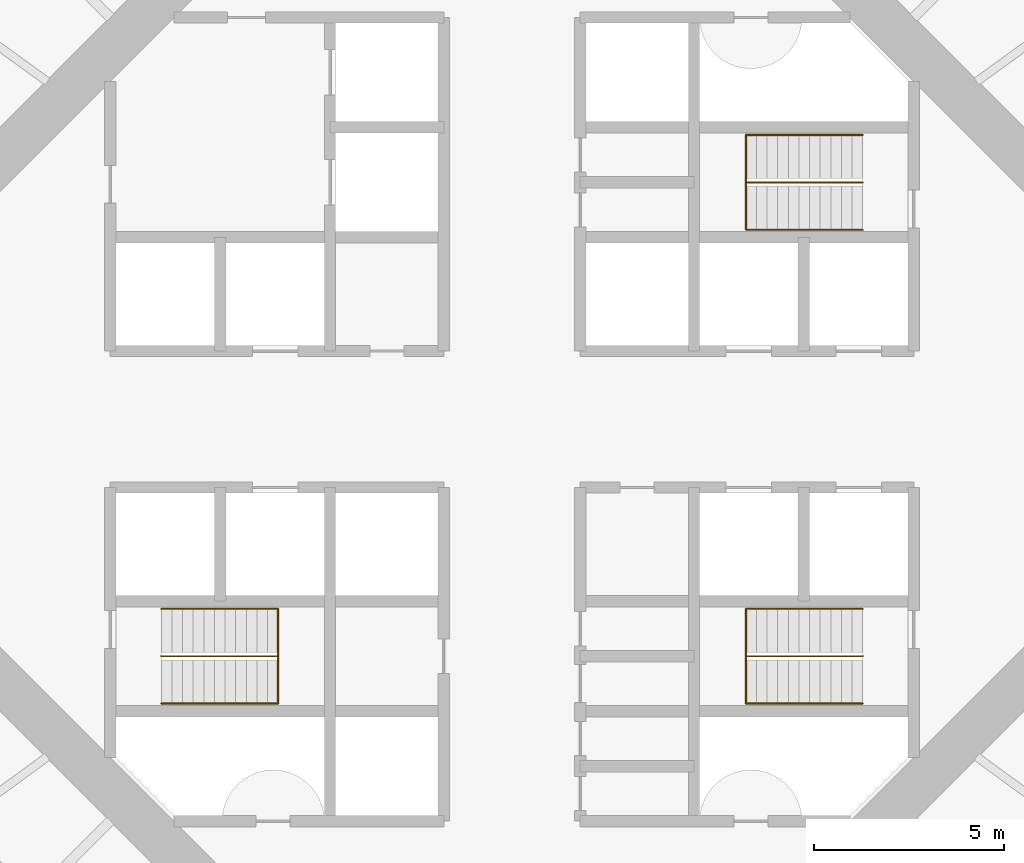
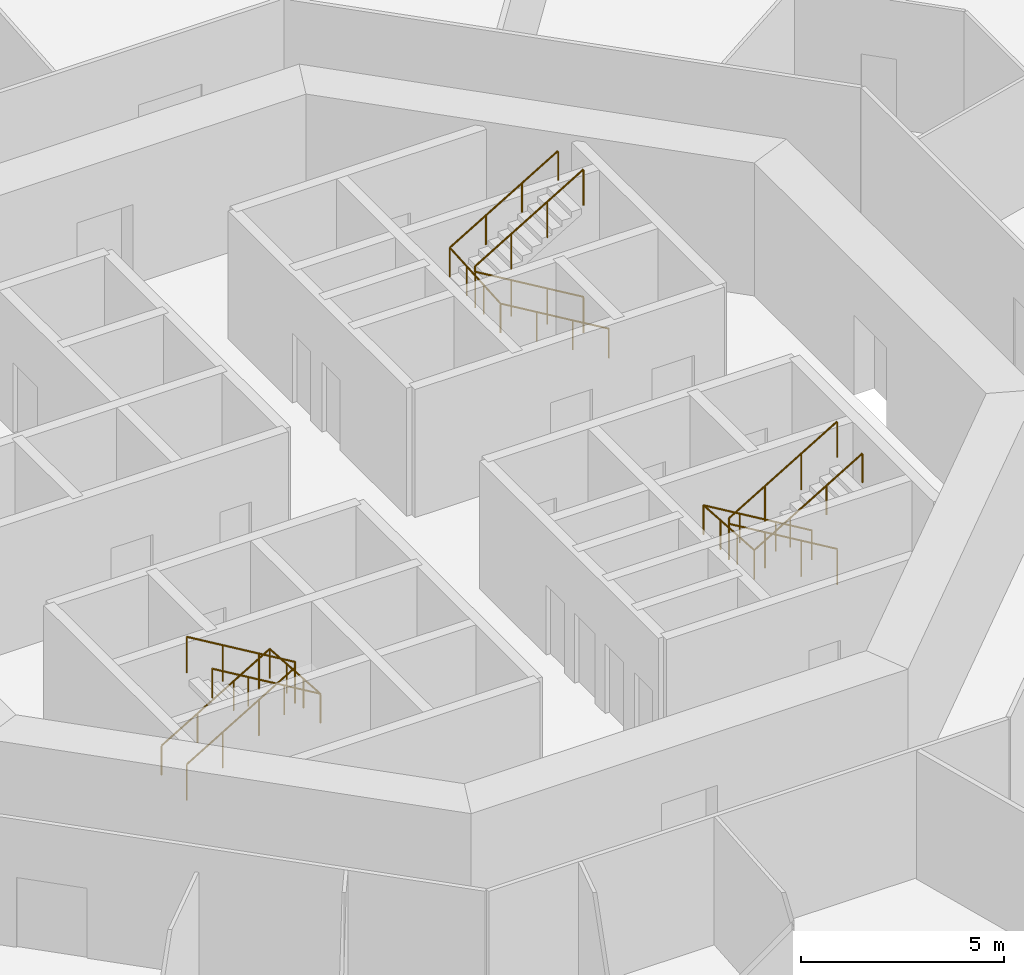
# One storey, part 13 of 13: 6 railings.
"""IFC4 building model written with IfcOpenShell, lengths in metres."""

from ifc_helpers import new_model, si_unit, direction, frame, origin, origin_2d, place, context, subcontext, project, spatial, circle, extrude, material, type_object, element, save


model = new_model("IFC4")

# Units and contexts
model_context = context("Model", 3, precision=1e-05, world=origin(), true_north=direction((0.0, 1.0)))
body_context = subcontext(model_context, "Body", "Model", "MODEL_VIEW")
ifc_project = project(units=[si_unit("LENGTHUNIT", "METRE"), si_unit("AREAUNIT", "SQUARE_METRE"), si_unit("VOLUMEUNIT", "CUBIC_METRE"), si_unit("PLANEANGLEUNIT", "RADIAN"), si_unit("MASSUNIT", "GRAM", prefix="KILO")], contexts=[model_context])

# Site, building, storey
site_placement = place(None, origin())
site = spatial("IfcSite", under=ifc_project, at=site_placement, CompositionType="ELEMENT")
building_placement = place(site_placement, origin())
building = spatial("IfcBuilding", under=site, at=building_placement, Name="Entoto Ring Tower", CompositionType="ELEMENT")
storey_placement = place(building_placement, frame((0.0, 0.0, 116.0)))
storey = spatial("IfcBuildingStorey", under=building, at=storey_placement, Name="L26", CompositionType="ELEMENT", Elevation=116.0)

# Railings
ifc_material_1 = material(Name="Steel S275", Category="steel")
railing_type_1 = type_object("IfcRailingType", Name="Stair guard 1100 mm steel", PredefinedType="GUARDRAIL", material=ifc_material_1)
railing_1_placement = place(storey_placement, frame((99.25, 86.25, 0.166748046875)))
element("IfcRailing", 1, at=railing_1_placement, inside=storey, type_object=railing_type_1, Name="Guard ST1", PredefinedType="GUARDRAIL", context=body_context, shape_type="SweptSolid", body=[
    extrude(circle(Radius=0.02392578125, at=origin_2d()), frame((0.0, 0.0, 1.076171875), z_axis=(-0.859308565015, 0.0, 0.511457515432), x_axis=(0.0, -1.0, 0.0)), (0.0, 0.0, 1.0), 3.58447265625),
    extrude(circle(Radius=0.02392578125, at=origin_2d()), frame((-3.080078125, 0.0, 2.9091796875), z_axis=(0.0, 0.0, 1.0), x_axis=(1.0, 0.0, 0.0)), (0.0, 0.0, 1.0), 0.166748046875),
    extrude(circle(Radius=0.02392578125, at=origin_2d()), frame((-3.080078125, 0.0, 3.076171875), z_axis=(0.859308565015, 0.0, 0.511457515432), x_axis=(0.0, 1.0, 0.0)), (0.0, 0.0, 1.0), 3.58447265625),
    extrude(circle(Radius=0.02099609375, at=origin_2d()), origin(), (0.0, 0.0, 1.0), 1.052001953125),
    extrude(circle(Radius=0.02099609375, at=origin_2d()), frame((-1.026611328125, 0.0, 0.611083984375)), (0.0, 0.0, 1.0), 1.052001953125),
    extrude(circle(Radius=0.02099609375, at=origin_2d()), frame((-2.053466796875, 0.0, 1.22216796875)), (0.0, 0.0, 1.0), 1.052001953125),
    extrude(circle(Radius=0.02099609375, at=origin_2d()), frame((-3.080078125, 0.0, 1.833251953125)), (0.0, 0.0, 1.0), 1.052001953125),
    extrude(circle(Radius=0.02099609375, at=origin_2d()), frame((-3.080078125, 0.0, 2.0)), (0.0, 0.0, 1.0), 1.052001953125),
    extrude(circle(Radius=0.02099609375, at=origin_2d()), frame((-2.053466796875, 0.0, 2.611083984375)), (0.0, 0.0, 1.0), 1.052001953125),
    extrude(circle(Radius=0.02099609375, at=origin_2d()), frame((-1.026611328125, 0.0, 3.22216796875)), (0.0, 0.0, 1.0), 1.052001953125),
    extrude(circle(Radius=0.02099609375, at=origin_2d()), frame((0.0, 0.0, 3.833251953125)), (0.0, 0.0, 1.0), 1.052001953125),
])
railing_2_placement = place(storey_placement, frame((80.75, 73.75, 0.166748046875)))
element("IfcRailing", 2, at=railing_2_placement, inside=storey, type_object=railing_type_1, Name="Guard ST2", PredefinedType="GUARDRAIL", context=body_context, shape_type="SweptSolid", body=[
    extrude(circle(Radius=0.02392578125, at=origin_2d()), frame((0.0, 0.0, 1.076171875), z_axis=(0.859308565015, 0.0, 0.511457515432), x_axis=(0.0, 1.0, 0.0)), (0.0, 0.0, 1.0), 3.58447265625),
    extrude(circle(Radius=0.02392578125, at=origin_2d()), frame((3.080078125, 0.0, 2.9091796875), z_axis=(0.0, 0.0, 1.0), x_axis=(1.0, 0.0, 0.0)), (0.0, 0.0, 1.0), 0.166748046875),
    extrude(circle(Radius=0.02392578125, at=origin_2d()), frame((3.080078125, 0.0, 3.076171875), z_axis=(-0.859308565015, 0.0, 0.511457515432), x_axis=(0.0, -1.0, 0.0)), (0.0, 0.0, 1.0), 3.58447265625),
    extrude(circle(Radius=0.02099609375, at=origin_2d()), origin(), (0.0, 0.0, 1.0), 1.052001953125),
    extrude(circle(Radius=0.02099609375, at=origin_2d()), frame((1.026611328125, 0.0, 0.611083984375)), (0.0, 0.0, 1.0), 1.052001953125),
    extrude(circle(Radius=0.02099609375, at=origin_2d()), frame((2.053466796875, 0.0, 1.22216796875)), (0.0, 0.0, 1.0), 1.052001953125),
    extrude(circle(Radius=0.02099609375, at=origin_2d()), frame((3.080078125, 0.0, 1.833251953125)), (0.0, 0.0, 1.0), 1.052001953125),
    extrude(circle(Radius=0.02099609375, at=origin_2d()), frame((3.080078125, 0.0, 2.0)), (0.0, 0.0, 1.0), 1.052001953125),
    extrude(circle(Radius=0.02099609375, at=origin_2d()), frame((2.053466796875, 0.0, 2.611083984375)), (0.0, 0.0, 1.0), 1.052001953125),
    extrude(circle(Radius=0.02099609375, at=origin_2d()), frame((1.026611328125, 0.0, 3.22216796875)), (0.0, 0.0, 1.0), 1.052001953125),
    extrude(circle(Radius=0.02099609375, at=origin_2d()), frame((0.0, 0.0, 3.833251953125)), (0.0, 0.0, 1.0), 1.052001953125),
])
railing_3_placement = place(storey_placement, frame((99.25, 73.75, 0.166748046875)))
element("IfcRailing", 3, at=railing_3_placement, inside=storey, type_object=railing_type_1, Name="Guard ST3", PredefinedType="GUARDRAIL", context=body_context, shape_type="SweptSolid", body=[
    extrude(circle(Radius=0.02392578125, at=origin_2d()), frame((0.0, 0.0, 1.076171875), z_axis=(-0.859308565015, 0.0, 0.511457515432), x_axis=(0.0, -1.0, 0.0)), (0.0, 0.0, 1.0), 3.58447265625),
    extrude(circle(Radius=0.02392578125, at=origin_2d()), frame((-3.080078125, 0.0, 2.9091796875), z_axis=(0.0, 0.0, 1.0), x_axis=(1.0, 0.0, 0.0)), (0.0, 0.0, 1.0), 0.166748046875),
    extrude(circle(Radius=0.02392578125, at=origin_2d()), frame((-3.080078125, 0.0, 3.076171875), z_axis=(0.859308565015, 0.0, 0.511457515432), x_axis=(0.0, 1.0, 0.0)), (0.0, 0.0, 1.0), 3.58447265625),
    extrude(circle(Radius=0.02099609375, at=origin_2d()), origin(), (0.0, 0.0, 1.0), 1.052001953125),
    extrude(circle(Radius=0.02099609375, at=origin_2d()), frame((-1.026611328125, 0.0, 0.611083984375)), (0.0, 0.0, 1.0), 1.052001953125),
    extrude(circle(Radius=0.02099609375, at=origin_2d()), frame((-2.053466796875, 0.0, 1.22216796875)), (0.0, 0.0, 1.0), 1.052001953125),
    extrude(circle(Radius=0.02099609375, at=origin_2d()), frame((-3.080078125, 0.0, 1.833251953125)), (0.0, 0.0, 1.0), 1.052001953125),
    extrude(circle(Radius=0.02099609375, at=origin_2d()), frame((-3.080078125, 0.0, 2.0)), (0.0, 0.0, 1.0), 1.052001953125),
    extrude(circle(Radius=0.02099609375, at=origin_2d()), frame((-2.053466796875, 0.0, 2.611083984375)), (0.0, 0.0, 1.0), 1.052001953125),
    extrude(circle(Radius=0.02099609375, at=origin_2d()), frame((-1.026611328125, 0.0, 3.22216796875)), (0.0, 0.0, 1.0), 1.052001953125),
    extrude(circle(Radius=0.02099609375, at=origin_2d()), frame((0.0, 0.0, 3.833251953125)), (0.0, 0.0, 1.0), 1.052001953125),
])
ifc_material_2 = material(Name="Steel S275", Category="steel")
railing_type_2 = type_object("IfcRailingType", Name="Stair handrail 900 mm steel", PredefinedType="HANDRAIL", material=ifc_material_2)
railing_4_placement = place(storey_placement, frame((99.25, 85.0, 0.166748046875)))
element("IfcRailing", 4, at=railing_4_placement, inside=storey, type_object=railing_type_2, Name="Handrail ST1", PredefinedType="HANDRAIL", context=body_context, shape_type="SweptSolid", body=[
    extrude(circle(Radius=0.02392578125, at=origin_2d()), frame((0.0, 0.0, 0.8759765625), z_axis=(-0.859308565015, 0.0, 0.511457515432), x_axis=(0.0, -1.0, 0.0)), (0.0, 0.0, 1.0), 3.58447265625),
    extrude(circle(Radius=0.02392578125, at=origin_2d()), frame((-3.080078125, 0.0, 2.708984375), z_axis=(0.0, 0.997783001586, 0.066551346688), x_axis=(-1.0, 0.0, 0.0)), (0.0, 0.0, 1.0), 2.505615234375),
    extrude(circle(Radius=0.02392578125, at=origin_2d()), frame((-3.080078125, 2.5, 2.8759765625), z_axis=(0.859308565015, 0.0, 0.511457515432), x_axis=(0.0, 1.0, 0.0)), (0.0, 0.0, 1.0), 3.58447265625),
    extrude(circle(Radius=0.02099609375, at=origin_2d()), origin(), (0.0, 0.0, 1.0), 0.851806640625),
    extrude(circle(Radius=0.02099609375, at=origin_2d()), frame((-1.026611328125, 0.0, 0.611083984375)), (0.0, 0.0, 1.0), 0.851806640625),
    extrude(circle(Radius=0.02099609375, at=origin_2d()), frame((-2.053466796875, 0.0, 1.22216796875)), (0.0, 0.0, 1.0), 0.851806640625),
    extrude(circle(Radius=0.02099609375, at=origin_2d()), frame((-3.080078125, 0.0, 1.833251953125)), (0.0, 0.0, 1.0), 0.851806640625),
    extrude(circle(Radius=0.02099609375, at=origin_2d()), frame((-3.080078125, 0.833251953125, 1.888916015625)), (0.0, 0.0, 1.0), 0.851806640625),
    extrude(circle(Radius=0.02099609375, at=origin_2d()), frame((-3.080078125, 1.666748046875, 1.9443359375)), (0.0, 0.0, 1.0), 0.851806640625),
    extrude(circle(Radius=0.02099609375, at=origin_2d()), frame((-3.080078125, 2.5, 2.0)), (0.0, 0.0, 1.0), 0.851806640625),
    extrude(circle(Radius=0.02099609375, at=origin_2d()), frame((-2.053466796875, 2.5, 2.611083984375)), (0.0, 0.0, 1.0), 0.851806640625),
    extrude(circle(Radius=0.02099609375, at=origin_2d()), frame((-1.026611328125, 2.5, 3.22216796875)), (0.0, 0.0, 1.0), 0.851806640625),
    extrude(circle(Radius=0.02099609375, at=origin_2d()), frame((0.0, 2.5, 3.833251953125)), (0.0, 0.0, 1.0), 0.851806640625),
])
railing_5_placement = place(storey_placement, frame((80.75, 75.0, 0.166748046875)))
element("IfcRailing", 5, at=railing_5_placement, inside=storey, type_object=railing_type_2, Name="Handrail ST2", PredefinedType="HANDRAIL", context=body_context, shape_type="SweptSolid", body=[
    extrude(circle(Radius=0.02392578125, at=origin_2d()), frame((0.0, 0.0, 0.8759765625), z_axis=(0.859308565015, 0.0, 0.511457515432), x_axis=(0.0, 1.0, 0.0)), (0.0, 0.0, 1.0), 3.58447265625),
    extrude(circle(Radius=0.02392578125, at=origin_2d()), frame((3.080078125, 0.0, 2.708984375), z_axis=(0.0, -0.997783001586, 0.066551346688), x_axis=(1.0, 0.0, 0.0)), (0.0, 0.0, 1.0), 2.505615234375),
    extrude(circle(Radius=0.02392578125, at=origin_2d()), frame((3.080078125, -2.5, 2.8759765625), z_axis=(-0.859308565015, 0.0, 0.511457515432), x_axis=(0.0, -1.0, 0.0)), (0.0, 0.0, 1.0), 3.58447265625),
    extrude(circle(Radius=0.02099609375, at=origin_2d()), origin(), (0.0, 0.0, 1.0), 0.851806640625),
    extrude(circle(Radius=0.02099609375, at=origin_2d()), frame((1.026611328125, 0.0, 0.611083984375)), (0.0, 0.0, 1.0), 0.851806640625),
    extrude(circle(Radius=0.02099609375, at=origin_2d()), frame((2.053466796875, 0.0, 1.22216796875)), (0.0, 0.0, 1.0), 0.851806640625),
    extrude(circle(Radius=0.02099609375, at=origin_2d()), frame((3.080078125, 0.0, 1.833251953125)), (0.0, 0.0, 1.0), 0.851806640625),
    extrude(circle(Radius=0.02099609375, at=origin_2d()), frame((3.080078125, -0.833251953125, 1.888916015625)), (0.0, 0.0, 1.0), 0.851806640625),
    extrude(circle(Radius=0.02099609375, at=origin_2d()), frame((3.080078125, -1.666748046875, 1.9443359375)), (0.0, 0.0, 1.0), 0.851806640625),
    extrude(circle(Radius=0.02099609375, at=origin_2d()), frame((3.080078125, -2.5, 2.0)), (0.0, 0.0, 1.0), 0.851806640625),
    extrude(circle(Radius=0.02099609375, at=origin_2d()), frame((2.053466796875, -2.5, 2.611083984375)), (0.0, 0.0, 1.0), 0.851806640625),
    extrude(circle(Radius=0.02099609375, at=origin_2d()), frame((1.026611328125, -2.5, 3.22216796875)), (0.0, 0.0, 1.0), 0.851806640625),
    extrude(circle(Radius=0.02099609375, at=origin_2d()), frame((0.0, -2.5, 3.833251953125)), (0.0, 0.0, 1.0), 0.851806640625),
])
railing_6_placement = place(storey_placement, frame((99.25, 75.0, 0.166748046875)))
element("IfcRailing", 6, at=railing_6_placement, inside=storey, type_object=railing_type_2, Name="Handrail ST3", PredefinedType="HANDRAIL", context=body_context, shape_type="SweptSolid", body=[
    extrude(circle(Radius=0.02392578125, at=origin_2d()), frame((0.0, 0.0, 0.8759765625), z_axis=(-0.859308565015, 0.0, 0.511457515432), x_axis=(0.0, -1.0, 0.0)), (0.0, 0.0, 1.0), 3.58447265625),
    extrude(circle(Radius=0.02392578125, at=origin_2d()), frame((-3.080078125, 0.0, 2.708984375), z_axis=(0.0, -0.997783001586, 0.066551346688), x_axis=(1.0, 0.0, 0.0)), (0.0, 0.0, 1.0), 2.505615234375),
    extrude(circle(Radius=0.02392578125, at=origin_2d()), frame((-3.080078125, -2.5, 2.8759765625), z_axis=(0.859308565015, 0.0, 0.511457515432), x_axis=(0.0, 1.0, 0.0)), (0.0, 0.0, 1.0), 3.58447265625),
    extrude(circle(Radius=0.02099609375, at=origin_2d()), origin(), (0.0, 0.0, 1.0), 0.851806640625),
    extrude(circle(Radius=0.02099609375, at=origin_2d()), frame((-1.026611328125, 0.0, 0.611083984375)), (0.0, 0.0, 1.0), 0.851806640625),
    extrude(circle(Radius=0.02099609375, at=origin_2d()), frame((-2.053466796875, 0.0, 1.22216796875)), (0.0, 0.0, 1.0), 0.851806640625),
    extrude(circle(Radius=0.02099609375, at=origin_2d()), frame((-3.080078125, 0.0, 1.833251953125)), (0.0, 0.0, 1.0), 0.851806640625),
    extrude(circle(Radius=0.02099609375, at=origin_2d()), frame((-3.080078125, -0.833251953125, 1.888916015625)), (0.0, 0.0, 1.0), 0.851806640625),
    extrude(circle(Radius=0.02099609375, at=origin_2d()), frame((-3.080078125, -1.666748046875, 1.9443359375)), (0.0, 0.0, 1.0), 0.851806640625),
    extrude(circle(Radius=0.02099609375, at=origin_2d()), frame((-3.080078125, -2.5, 2.0)), (0.0, 0.0, 1.0), 0.851806640625),
    extrude(circle(Radius=0.02099609375, at=origin_2d()), frame((-2.053466796875, -2.5, 2.611083984375)), (0.0, 0.0, 1.0), 0.851806640625),
    extrude(circle(Radius=0.02099609375, at=origin_2d()), frame((-1.026611328125, -2.5, 3.22216796875)), (0.0, 0.0, 1.0), 0.851806640625),
    extrude(circle(Radius=0.02099609375, at=origin_2d()), frame((0.0, -2.5, 3.833251953125)), (0.0, 0.0, 1.0), 0.851806640625),
])

save(model, "model.ifc")
